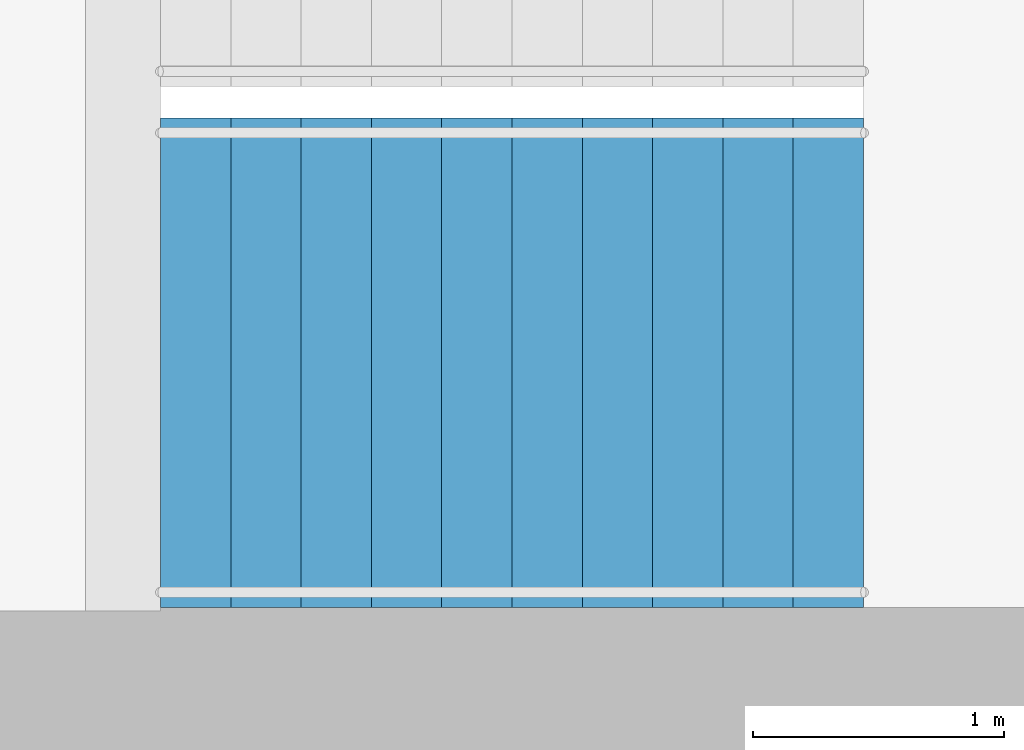
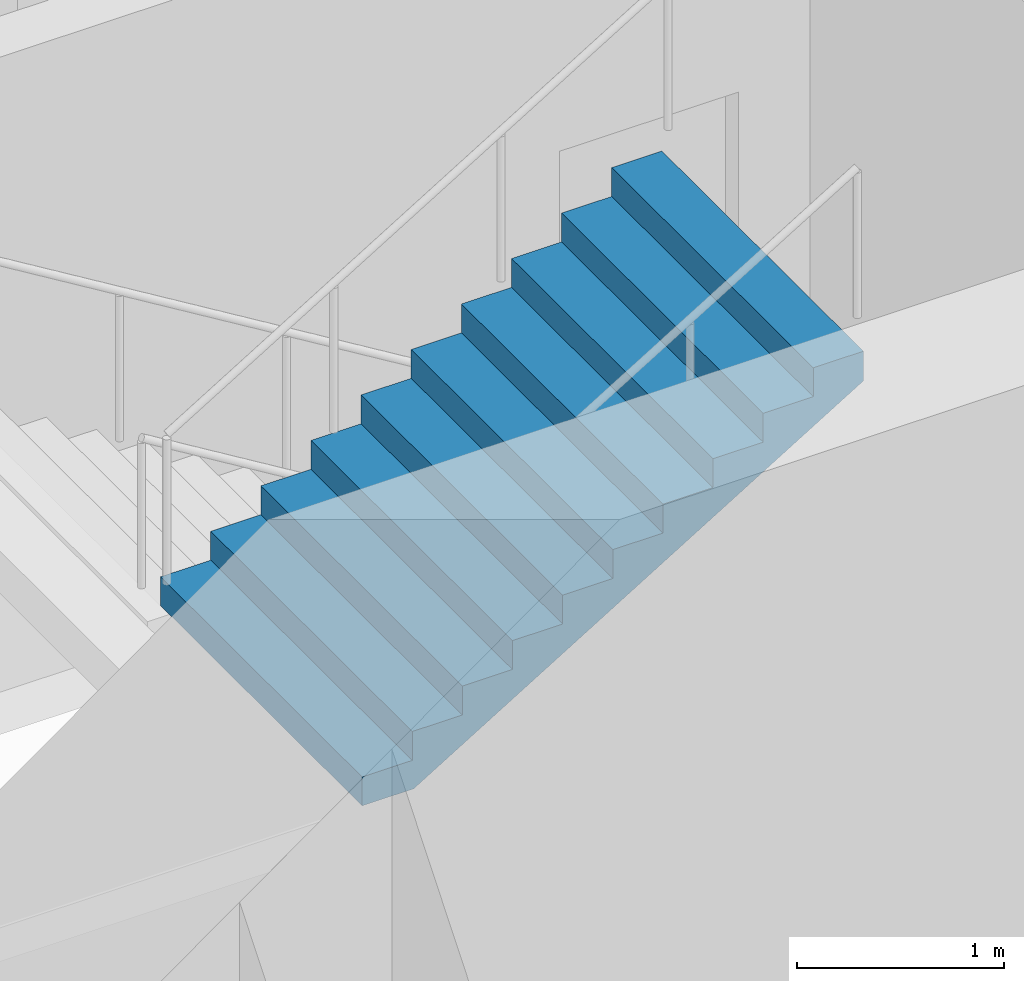
# One storey, part 20 of 22: 1 stair flight, 1 element without a shape of its own.
"""IFC4 building model written with IfcOpenShell, lengths in metres."""

from ifc_helpers import new_model, si_unit, direction, frame, origin, place, context, subcontext, project, spatial, triangles, material, type_object, element, aggregate, save


model = new_model("IFC4")

# Units and contexts
model_context = context("Model", 3, precision=1e-05, world=origin(), true_north=direction((0.0, 1.0)))
body_context = subcontext(model_context, "Body", "Model", "MODEL_VIEW")
ifc_project = project(units=[si_unit("LENGTHUNIT", "METRE"), si_unit("AREAUNIT", "SQUARE_METRE"), si_unit("VOLUMEUNIT", "CUBIC_METRE"), si_unit("PLANEANGLEUNIT", "RADIAN"), si_unit("MASSUNIT", "GRAM", prefix="KILO")], contexts=[model_context])

# Site, building, storey
site_placement = place(None, origin())
site = spatial("IfcSite", under=ifc_project, at=site_placement, CompositionType="ELEMENT")
building_placement = place(site_placement, origin())
building = spatial("IfcBuilding", under=site, at=building_placement, Name="Orbita Commons", CompositionType="ELEMENT")
storey_placement = place(building_placement, frame((0.0, 0.0, 152.35009765625)))
storey = spatial("IfcBuildingStorey", under=building, at=storey_placement, Name="L37", CompositionType="ELEMENT", Elevation=152.35009765625)

# Stair, stair flight
ifc_material_1 = material(Name="Precast concrete C40/50", Category="concrete")
stair_type = type_object("IfcStairType", Name="Exit stair S2 2 flights 11 risers 170", PredefinedType="HALF_TURN_STAIR", material=ifc_material_1)
stair_placement = place(storey_placement, origin())
stair = element("IfcStair", 1, at=stair_placement, inside=storey, type_object=stair_type, Name="Exit stair S2 L37", PredefinedType="HALF_TURN_STAIR")
ifc_material_2 = material(Name="Precast concrete C40/50", Category="concrete")
stair_flight_type = type_object("IfcStairFlightType", Name="Stair flight 11 risers 170 x 280", PredefinedType="STRAIGHT", material=ifc_material_2)
stair_flight_placement = place(storey_placement, frame((60.75, 27.199951171875, 1.875), z_axis=(0.0, 0.0, 1.0), x_axis=(1.0, 0.0, 0.0)))
stair_flight = element("IfcStairFlight", 2, at=stair_flight_placement, type_object=stair_flight_type, Name="S2 flight 2", NumberOfRisers=11, NumberOfTreads=10, PredefinedType="STRAIGHT", RiserHeight=0.170454545, TreadLength=0.28, context=body_context, shape_type="Tessellation", body=[
    triangles([(0.0, 0.974976, 0.0), (0.0, 0.974976, 0.021307), (0.0, 0.81248, 0.021307), (0.0, 0.81248, 0.0), (0.0, 0.649984, 0.021307), (0.0, 0.649984, 0.0), (0.0, 0.487488, 0.021307), (0.0, 0.487488, 0.0), (0.0, 0.324992, 0.021307), (0.0, 0.324992, 0.0), (0.0, 0.162496, 0.021307), (0.0, 0.162496, 0.0), (0.0, 0.0, 0.021307), (0.0, 0.0, 0.0), (0.0, -0.162496, 0.021307), (0.0, -0.162496, 0.0), (0.0, -0.324992, 0.021307), (0.0, -0.324992, 0.0), (0.0, -0.487488, 0.021307), (0.0, -0.487488, 0.0), (0.0, -0.649984, 0.021307), (0.0, -0.649984, 0.0), (0.0, -0.81248, 0.021307), (0.0, -0.81248, 0.0), (0.0, -0.974976, 0.021307), (0.0, -0.974976, 0.0), (0.0, 0.974976, 0.042614), (0.0, 0.81248, 0.042614), (0.0, 0.649984, 0.042614), (0.0, 0.487488, 0.042614), (0.0, 0.324992, 0.042614), (0.0, 0.162496, 0.042614), (0.0, 0.0, 0.042614), (0.0, -0.162496, 0.042614), (0.0, -0.324992, 0.042614), (0.0, -0.487488, 0.042614), (0.0, -0.649984, 0.042614), (0.0, -0.81248, 0.042614), (0.0, -0.974976, 0.042614), (0.0, 0.974976, 0.06392), (0.0, 0.81248, 0.06392), (0.0, 0.649984, 0.06392), (0.0, 0.487488, 0.06392), (0.0, 0.324992, 0.06392), (0.0, 0.162496, 0.06392), (0.0, 0.0, 0.06392), (0.0, -0.162496, 0.06392), (0.0, -0.324992, 0.06392), (0.0, -0.487488, 0.06392), (0.0, -0.649984, 0.06392), (0.0, -0.81248, 0.06392), (0.0, -0.974976, 0.06392), (0.0, 0.974976, 0.085227), (0.0, 0.81248, 0.085227), (0.0, 0.649984, 0.085227), (0.0, 0.487488, 0.085227), (0.0, 0.324992, 0.085227), (0.0, 0.162496, 0.085227), (0.0, 0.0, 0.085227), (0.0, -0.162496, 0.085227), (0.0, -0.324992, 0.085227), (0.0, -0.487488, 0.085227), (0.0, -0.649984, 0.085227), (0.0, -0.81248, 0.085227), (0.0, -0.974976, 0.085227), (0.0, 0.974976, 0.106534), (0.0, 0.81248, 0.106534), (0.0, 0.649984, 0.106534), (0.0, 0.487488, 0.106534), (0.0, 0.324992, 0.106534), (0.0, 0.162496, 0.106534), (0.0, 0.0, 0.106534), (0.0, -0.162496, 0.106534), (0.0, -0.324992, 0.106534), (0.0, -0.487488, 0.106534), (0.0, -0.649984, 0.106534), (0.0, -0.81248, 0.106534), (0.0, -0.974976, 0.106534), (0.0, 0.974976, 0.127841), (0.0, 0.81248, 0.127841), (0.0, 0.649984, 0.127841), (0.0, 0.487488, 0.127841), (0.0, 0.324992, 0.127841), (0.0, 0.162496, 0.127841), (0.0, 0.0, 0.127841), (0.0, -0.162496, 0.127841), (0.0, -0.324992, 0.127841), (0.0, -0.487488, 0.127841), (0.0, -0.649984, 0.127841), (0.0, -0.81248, 0.127841), (0.0, -0.974976, 0.127841), (0.0, 0.974976, 0.149148), (0.0, 0.81248, 0.149148), (0.0, 0.649984, 0.149148), (0.0, 0.487488, 0.149148), (0.0, 0.324992, 0.149148), (0.0, 0.162496, 0.149148), (0.0, 0.0, 0.149148), (0.0, -0.162496, 0.149148), (0.0, -0.324992, 0.149148), (0.0, -0.487488, 0.149148), (0.0, -0.649984, 0.149148), (0.0, -0.81248, 0.149148), (0.0, -0.974976, 0.149148), (0.0, 0.974976, 0.170455), (0.0, 0.81248, 0.170455), (0.0, 0.649984, 0.170455), (0.0, 0.487488, 0.170455), (0.0, 0.324992, 0.170455), (0.0, 0.162496, 0.170455), (0.0, 0.0, 0.170455), (0.0, -0.162496, 0.170455), (0.0, -0.324992, 0.170455), (0.0, -0.487488, 0.170455), (0.0, -0.649984, 0.170455), (0.0, -0.81248, 0.170455), (0.0, -0.974976, 0.170455), (0.28, 0.974976, 0.170455), (0.28, 0.81248, 0.170455), (0.28, 0.649984, 0.170455), (0.28, 0.487488, 0.170455), (0.28, 0.324992, 0.170455), (0.28, 0.162496, 0.170455), (0.28, 0.0, 0.170455), (0.28, -0.162496, 0.170455), (0.28, -0.324992, 0.170455), (0.28, -0.487488, 0.170455), (0.28, -0.649984, 0.170455), (0.28, -0.81248, 0.170455), (0.28, -0.974976, 0.170455), (0.28, 0.974976, 0.340909), (0.28, 0.81248, 0.340909), (0.28, 0.649984, 0.340909), (0.28, 0.487488, 0.340909), (0.28, 0.324992, 0.340909), (0.28, 0.162496, 0.340909), (0.28, 0.0, 0.340909), (0.28, -0.162496, 0.340909), (0.28, -0.324992, 0.340909), (0.28, -0.487488, 0.340909), (0.28, -0.649984, 0.340909), (0.28, -0.81248, 0.340909), (0.28, -0.974976, 0.340909), (0.56, 0.974976, 0.340909), (0.56, 0.81248, 0.340909), (0.56, 0.649984, 0.340909), (0.56, 0.487488, 0.340909), (0.56, 0.324992, 0.340909), (0.56, 0.162496, 0.340909), (0.56, 0.0, 0.340909), (0.56, -0.162496, 0.340909), (0.56, -0.324992, 0.340909), (0.56, -0.487488, 0.340909), (0.56, -0.649984, 0.340909), (0.56, -0.81248, 0.340909), (0.56, -0.974976, 0.340909), (0.56, 0.974976, 0.511364), (0.56, 0.81248, 0.511364), (0.56, 0.649984, 0.511364), (0.56, 0.487488, 0.511364), (0.56, 0.324992, 0.511364), (0.56, 0.162496, 0.511364), (0.56, 0.0, 0.511364), (0.56, -0.162496, 0.511364), (0.56, -0.324992, 0.511364), (0.56, -0.487488, 0.511364), (0.56, -0.649984, 0.511364), (0.56, -0.81248, 0.511364), (0.56, -0.974976, 0.511364), (0.84, 0.974976, 0.511364), (0.84, 0.81248, 0.511364), (0.84, 0.649984, 0.511364), (0.84, 0.487488, 0.511364), (0.84, 0.324992, 0.511364), (0.84, 0.162496, 0.511364), (0.84, 0.0, 0.511364), (0.84, -0.162496, 0.511364), (0.84, -0.324992, 0.511364), (0.84, -0.487488, 0.511364), (0.84, -0.649984, 0.511364), (0.84, -0.81248, 0.511364), (0.84, -0.974976, 0.511364), (0.84, 0.974976, 0.681818), (0.84, 0.81248, 0.681818), (0.84, 0.649984, 0.681818), (0.84, 0.487488, 0.681818), (0.84, 0.324992, 0.681818), (0.84, 0.162496, 0.681818), (0.84, 0.0, 0.681818), (0.84, -0.162496, 0.681818), (0.84, -0.324992, 0.681818), (0.84, -0.487488, 0.681818), (0.84, -0.649984, 0.681818), (0.84, -0.81248, 0.681818), (0.84, -0.974976, 0.681818), (1.12, 0.974976, 0.681818), (1.12, 0.81248, 0.681818), (1.12, 0.649984, 0.681818), (1.12, 0.487488, 0.681818), (1.12, 0.324992, 0.681818), (1.12, 0.162496, 0.681818), (1.12, 0.0, 0.681818), (1.12, -0.162496, 0.681818), (1.12, -0.324992, 0.681818), (1.12, -0.487488, 0.681818), (1.12, -0.649984, 0.681818), (1.12, -0.81248, 0.681818), (1.12, -0.974976, 0.681818), (1.12, 0.974976, 0.852273), (1.12, 0.81248, 0.852273), (1.12, 0.649984, 0.852273), (1.12, 0.487488, 0.852273), (1.12, 0.324992, 0.852273), (1.12, 0.162496, 0.852273), (1.12, 0.0, 0.852273), (1.12, -0.162496, 0.852273), (1.12, -0.324992, 0.852273), (1.12, -0.487488, 0.852273), (1.12, -0.649984, 0.852273), (1.12, -0.81248, 0.852273), (1.12, -0.974976, 0.852273), (1.4, 0.974976, 0.852273), (1.4, 0.81248, 0.852273), (1.4, 0.649984, 0.852273), (1.4, 0.487488, 0.852273), (1.4, 0.324992, 0.852273), (1.4, 0.162496, 0.852273), (1.4, 0.0, 0.852273), (1.4, -0.162496, 0.852273), (1.4, -0.324992, 0.852273), (1.4, -0.487488, 0.852273), (1.4, -0.649984, 0.852273), (1.4, -0.81248, 0.852273), (1.4, -0.974976, 0.852273), (1.4, 0.974976, 1.022727), (1.4, 0.81248, 1.022727), (1.4, 0.649984, 1.022727), (1.4, 0.487488, 1.022727), (1.4, 0.324992, 1.022727), (1.4, 0.162496, 1.022727), (1.4, 0.0, 1.022727), (1.4, -0.162496, 1.022727), (1.4, -0.324992, 1.022727), (1.4, -0.487488, 1.022727), (1.4, -0.649984, 1.022727), (1.4, -0.81248, 1.022727), (1.4, -0.974976, 1.022727), (1.68, 0.974976, 1.022727), (1.68, 0.81248, 1.022727), (1.68, 0.649984, 1.022727), (1.68, 0.487488, 1.022727), (1.68, 0.324992, 1.022727), (1.68, 0.162496, 1.022727), (1.68, 0.0, 1.022727), (1.68, -0.162496, 1.022727), (1.68, -0.324992, 1.022727), (1.68, -0.487488, 1.022727), (1.68, -0.649984, 1.022727), (1.68, -0.81248, 1.022727), (1.68, -0.974976, 1.022727), (1.68, 0.974976, 1.193182), (1.68, 0.81248, 1.193182), (1.68, 0.649984, 1.193182), (1.68, 0.487488, 1.193182), (1.68, 0.324992, 1.193182), (1.68, 0.162496, 1.193182), (1.68, 0.0, 1.193182), (1.68, -0.162496, 1.193182), (1.68, -0.324992, 1.193182), (1.68, -0.487488, 1.193182), (1.68, -0.649984, 1.193182), (1.68, -0.81248, 1.193182), (1.68, -0.974976, 1.193182), (1.96, 0.974976, 1.193182), (1.96, 0.81248, 1.193182), (1.96, 0.649984, 1.193182), (1.96, 0.487488, 1.193182), (1.96, 0.324992, 1.193182), (1.96, 0.162496, 1.193182), (1.96, 0.0, 1.193182), (1.96, -0.162496, 1.193182), (1.96, -0.324992, 1.193182), (1.96, -0.487488, 1.193182), (1.96, -0.649984, 1.193182), (1.96, -0.81248, 1.193182), (1.96, -0.974976, 1.193182), (1.96, 0.974976, 1.363636), (1.96, 0.81248, 1.363636), (1.96, 0.649984, 1.363636), (1.96, 0.487488, 1.363636), (1.96, 0.324992, 1.363636), (1.96, 0.162496, 1.363636), (1.96, 0.0, 1.363636), (1.96, -0.162496, 1.363636), (1.96, -0.324992, 1.363636), (1.96, -0.487488, 1.363636), (1.96, -0.649984, 1.363636), (1.96, -0.81248, 1.363636), (1.96, -0.974976, 1.363636), (2.24, 0.974976, 1.363636), (2.24, 0.81248, 1.363636), (2.24, 0.649984, 1.363636), (2.24, 0.487488, 1.363636), (2.24, 0.324992, 1.363636), (2.24, 0.162496, 1.363636), (2.24, 0.0, 1.363636), (2.24, -0.162496, 1.363636), (2.24, -0.324992, 1.363636), (2.24, -0.487488, 1.363636), (2.24, -0.649984, 1.363636), (2.24, -0.81248, 1.363636), (2.24, -0.974976, 1.363636), (2.24, 0.974976, 1.534091), (2.24, 0.81248, 1.534091), (2.24, 0.649984, 1.534091), (2.24, 0.487488, 1.534091), (2.24, 0.324992, 1.534091), (2.24, 0.162496, 1.534091), (2.24, 0.0, 1.534091), (2.24, -0.162496, 1.534091), (2.24, -0.324992, 1.534091), (2.24, -0.487488, 1.534091), (2.24, -0.649984, 1.534091), (2.24, -0.81248, 1.534091), (2.24, -0.974976, 1.534091), (2.52, 0.974976, 1.534091), (2.52, 0.81248, 1.534091), (2.52, 0.649984, 1.534091), (2.52, 0.487488, 1.534091), (2.52, 0.324992, 1.534091), (2.52, 0.162496, 1.534091), (2.52, 0.0, 1.534091), (2.52, -0.162496, 1.534091), (2.52, -0.324992, 1.534091), (2.52, -0.487488, 1.534091), (2.52, -0.649984, 1.534091), (2.52, -0.81248, 1.534091), (2.52, -0.974976, 1.534091), (2.52, 0.974976, 1.704545), (2.52, 0.81248, 1.704545), (2.52, 0.649984, 1.704545), (2.52, 0.487488, 1.704545), (2.52, 0.324992, 1.704545), (2.52, 0.162496, 1.704545), (2.52, 0.0, 1.704545), (2.52, -0.162496, 1.704545), (2.52, -0.324992, 1.704545), (2.52, -0.487488, 1.704545), (2.52, -0.649984, 1.704545), (2.52, -0.81248, 1.704545), (2.52, -0.974976, 1.704545), (2.8, 0.974976, 1.704545), (2.8, 0.81248, 1.704545), (2.8, 0.649984, 1.704545), (2.8, 0.487488, 1.704545), (2.8, 0.324992, 1.704545), (2.8, 0.162496, 1.704545), (2.8, 0.0, 1.704545), (2.8, -0.162496, 1.704545), (2.8, -0.324992, 1.704545), (2.8, -0.487488, 1.704545), (2.8, -0.649984, 1.704545), (2.8, -0.81248, 1.704545), (2.8, -0.974976, 1.704545), (2.8, 0.974976, 1.682609), (2.8, 0.81248, 1.682609), (2.8, 0.649984, 1.682609), (2.8, 0.487488, 1.682609), (2.8, 0.324992, 1.682609), (2.8, 0.162496, 1.682609), (2.8, 0.0, 1.682609), (2.8, -0.162496, 1.682609), (2.8, -0.324992, 1.682609), (2.8, -0.487488, 1.682609), (2.8, -0.649984, 1.682609), (2.8, -0.81248, 1.682609), (2.8, -0.974976, 1.682609), (2.8, 0.974976, 1.660672), (2.8, 0.81248, 1.660672), (2.8, 0.649984, 1.660672), (2.8, 0.487488, 1.660672), (2.8, 0.324992, 1.660672), (2.8, 0.162496, 1.660672), (2.8, 0.0, 1.660672), (2.8, -0.162496, 1.660672), (2.8, -0.324992, 1.660672), (2.8, -0.487488, 1.660672), (2.8, -0.649984, 1.660672), (2.8, -0.81248, 1.660672), (2.8, -0.974976, 1.660672), (2.8, 0.974976, 1.638735), (2.8, 0.81248, 1.638735), (2.8, 0.649984, 1.638735), (2.8, 0.487488, 1.638735), (2.8, 0.324992, 1.638735), (2.8, 0.162496, 1.638735), (2.8, 0.0, 1.638735), (2.8, -0.162496, 1.638735), (2.8, -0.324992, 1.638735), (2.8, -0.487488, 1.638735), (2.8, -0.649984, 1.638735), (2.8, -0.81248, 1.638735), (2.8, -0.974976, 1.638735), (2.8, 0.974976, 1.616798), (2.8, 0.81248, 1.616798), (2.8, 0.649984, 1.616798), (2.8, 0.487488, 1.616798), (2.8, 0.324992, 1.616798), (2.8, 0.162496, 1.616798), (2.8, 0.0, 1.616798), (2.8, -0.162496, 1.616798), (2.8, -0.324992, 1.616798), (2.8, -0.487488, 1.616798), (2.8, -0.649984, 1.616798), (2.8, -0.81248, 1.616798), (2.8, -0.974976, 1.616798), (2.8, 0.974976, 1.594861), (2.8, 0.81248, 1.594861), (2.8, 0.649984, 1.594861), (2.8, 0.487488, 1.594861), (2.8, 0.324992, 1.594861), (2.8, 0.162496, 1.594861), (2.8, 0.0, 1.594861), (2.8, -0.162496, 1.594861), (2.8, -0.324992, 1.594861), (2.8, -0.487488, 1.594861), (2.8, -0.649984, 1.594861), (2.8, -0.81248, 1.594861), (2.8, -0.974976, 1.594861), (2.8, 0.974976, 1.572925), (2.8, 0.81248, 1.572925), (2.8, 0.649984, 1.572925), (2.8, 0.487488, 1.572925), (2.8, 0.324992, 1.572925), (2.8, 0.162496, 1.572925), (2.8, 0.0, 1.572925), (2.8, -0.162496, 1.572925), (2.8, -0.324992, 1.572925), (2.8, -0.487488, 1.572925), (2.8, -0.649984, 1.572925), (2.8, -0.81248, 1.572925), (2.8, -0.974976, 1.572925), (2.8, 0.974976, 1.550988), (2.8, 0.81248, 1.550988), (2.8, 0.649984, 1.550988), (2.8, 0.487488, 1.550988), (2.8, 0.324992, 1.550988), (2.8, 0.162496, 1.550988), (2.8, 0.0, 1.550988), (2.8, -0.162496, 1.550988), (2.8, -0.324992, 1.550988), (2.8, -0.487488, 1.550988), (2.8, -0.649984, 1.550988), (2.8, -0.81248, 1.550988), (2.8, -0.974976, 1.550988), (2.8, 0.974976, 1.529051), (2.8, 0.81248, 1.529051), (2.8, 0.649984, 1.529051), (2.8, 0.487488, 1.529051), (2.8, 0.324992, 1.529051), (2.8, 0.162496, 1.529051), (2.8, 0.0, 1.529051), (2.8, -0.162496, 1.529051), (2.8, -0.324992, 1.529051), (2.8, -0.487488, 1.529051), (2.8, -0.649984, 1.529051), (2.8, -0.81248, 1.529051), (2.8, -0.974976, 1.529051), (0.288279, 0.974976, 0.0), (0.288279, 0.81248, 0.0), (0.288279, 0.649984, 0.0), (0.288279, 0.487488, 0.0), (0.288279, 0.324992, 0.0), (0.288279, 0.162496, 0.0), (0.288279, 0.0, 0.0), (0.288279, -0.162496, 0.0), (0.288279, -0.324992, 0.0), (0.288279, -0.487488, 0.0), (0.288279, -0.649984, 0.0), (0.288279, -0.81248, 0.0), (0.288279, -0.974976, 0.0)], [[3, 2, 1], [4, 3, 1], [5, 3, 4], [6, 5, 4], [7, 5, 6], [8, 7, 6], [9, 7, 8], [10, 9, 8], [11, 9, 10], [12, 11, 10], [13, 11, 12], [14, 13, 12], [15, 13, 14], [16, 15, 14], [17, 15, 16], [18, 17, 16], [19, 17, 18], [20, 19, 18], [21, 19, 20], [22, 21, 20], [23, 21, 22], [24, 23, 22], [25, 23, 24], [26, 25, 24], [28, 27, 2], [3, 28, 2], [29, 28, 3], [5, 29, 3], [30, 29, 5], [7, 30, 5], [31, 30, 7], [9, 31, 7], [32, 31, 9], [11, 32, 9], [33, 32, 11], [13, 33, 11], [34, 33, 13], [15, 34, 13], [35, 34, 15], [17, 35, 15], [36, 35, 17], [19, 36, 17], [37, 36, 19], [21, 37, 19], [38, 37, 21], [23, 38, 21], [39, 38, 23], [25, 39, 23], [41, 40, 27], [28, 41, 27], [42, 41, 28], [29, 42, 28], [43, 42, 29], [30, 43, 29], [44, 43, 30], [31, 44, 30], [45, 44, 31], [32, 45, 31], [46, 45, 32], [33, 46, 32], [47, 46, 33], [34, 47, 33], [48, 47, 34], [35, 48, 34], [49, 48, 35], [36, 49, 35], [50, 49, 36], [37, 50, 36], [51, 50, 37], [38, 51, 37], [52, 51, 38], [39, 52, 38], [54, 53, 40], [41, 54, 40], [55, 54, 41], [42, 55, 41], [56, 55, 42], [43, 56, 42], [57, 56, 43], [44, 57, 43], [58, 57, 44], [45, 58, 44], [59, 58, 45], [46, 59, 45], [60, 59, 46], [47, 60, 46], [61, 60, 47], [48, 61, 47], [62, 61, 48], [49, 62, 48], [63, 62, 49], [50, 63, 49], [64, 63, 50], [51, 64, 50], [65, 64, 51], [52, 65, 51], [67, 66, 53], [54, 67, 53], [68, 67, 54], [55, 68, 54], [69, 68, 55], [56, 69, 55], [70, 69, 56], [57, 70, 56], [71, 70, 57], [58, 71, 57], [72, 71, 58], [59, 72, 58], [73, 72, 59], [60, 73, 59], [74, 73, 60], [61, 74, 60], [75, 74, 61], [62, 75, 61], [76, 75, 62], [63, 76, 62], [77, 76, 63], [64, 77, 63], [78, 77, 64], [65, 78, 64], [80, 79, 66], [67, 80, 66], [81, 80, 67], [68, 81, 67], [82, 81, 68], [69, 82, 68], [83, 82, 69], [70, 83, 69], [84, 83, 70], [71, 84, 70], [85, 84, 71], [72, 85, 71], [86, 85, 72], [73, 86, 72], [87, 86, 73], [74, 87, 73], [88, 87, 74], [75, 88, 74], [89, 88, 75], [76, 89, 75], [90, 89, 76], [77, 90, 76], [91, 90, 77], [78, 91, 77], [93, 92, 79], [80, 93, 79], [94, 93, 80], [81, 94, 80], [95, 94, 81], [82, 95, 81], [96, 95, 82], [83, 96, 82], [97, 96, 83], [84, 97, 83], [98, 97, 84], [85, 98, 84], [99, 98, 85], [86, 99, 85], [100, 99, 86], [87, 100, 86], [101, 100, 87], [88, 101, 87], [102, 101, 88], [89, 102, 88], [103, 102, 89], [90, 103, 89], [104, 103, 90], [91, 104, 90], [106, 105, 92], [93, 106, 92], [107, 106, 93], [94, 107, 93], [108, 107, 94], [95, 108, 94], [109, 108, 95], [96, 109, 95], [110, 109, 96], [97, 110, 96], [111, 110, 97], [98, 111, 97], [112, 111, 98], [99, 112, 98], [113, 112, 99], [100, 113, 99], [114, 113, 100], [101, 114, 100], [115, 114, 101], [102, 115, 101], [116, 115, 102], [103, 116, 102], [117, 116, 103], [104, 117, 103], [119, 118, 105], [106, 119, 105], [120, 119, 106], [107, 120, 106], [121, 120, 107], [108, 121, 107], [122, 121, 108], [109, 122, 108], [123, 122, 109], [110, 123, 109], [124, 123, 110], [111, 124, 110], [125, 124, 111], [112, 125, 111], [126, 125, 112], [113, 126, 112], [127, 126, 113], [114, 127, 113], [128, 127, 114], [115, 128, 114], [129, 128, 115], [116, 129, 115], [130, 129, 116], [117, 130, 116], [132, 131, 118], [119, 132, 118], [133, 132, 119], [120, 133, 119], [134, 133, 120], [121, 134, 120], [135, 134, 121], [122, 135, 121], [136, 135, 122], [123, 136, 122], [137, 136, 123], [124, 137, 123], [138, 137, 124], [125, 138, 124], [139, 138, 125], [126, 139, 125], [140, 139, 126], [127, 140, 126], [141, 140, 127], [128, 141, 127], [142, 141, 128], [129, 142, 128], [143, 142, 129], [130, 143, 129], [145, 144, 131], [132, 145, 131], [146, 145, 132], [133, 146, 132], [147, 146, 133], [134, 147, 133], [148, 147, 134], [135, 148, 134], [149, 148, 135], [136, 149, 135], [150, 149, 136], [137, 150, 136], [151, 150, 137], [138, 151, 137], [152, 151, 138], [139, 152, 138], [153, 152, 139], [140, 153, 139], [154, 153, 140], [141, 154, 140], [155, 154, 141], [142, 155, 141], [156, 155, 142], [143, 156, 142], [158, 157, 144], [145, 158, 144], [159, 158, 145], [146, 159, 145], [160, 159, 146], [147, 160, 146], [161, 160, 147], [148, 161, 147], [162, 161, 148], [149, 162, 148], [163, 162, 149], [150, 163, 149], [164, 163, 150], [151, 164, 150], [165, 164, 151], [152, 165, 151], [166, 165, 152], [153, 166, 152], [167, 166, 153], [154, 167, 153], [168, 167, 154], [155, 168, 154], [169, 168, 155], [156, 169, 155], [171, 170, 157], [158, 171, 157], [172, 171, 158], [159, 172, 158], [173, 172, 159], [160, 173, 159], [174, 173, 160], [161, 174, 160], [175, 174, 161], [162, 175, 161], [176, 175, 162], [163, 176, 162], [177, 176, 163], [164, 177, 163], [178, 177, 164], [165, 178, 164], [179, 178, 165], [166, 179, 165], [180, 179, 166], [167, 180, 166], [181, 180, 167], [168, 181, 167], [182, 181, 168], [169, 182, 168], [184, 183, 170], [171, 184, 170], [185, 184, 171], [172, 185, 171], [186, 185, 172], [173, 186, 172], [187, 186, 173], [174, 187, 173], [188, 187, 174], [175, 188, 174], [189, 188, 175], [176, 189, 175], [190, 189, 176], [177, 190, 176], [191, 190, 177], [178, 191, 177], [192, 191, 178], [179, 192, 178], [193, 192, 179], [180, 193, 179], [194, 193, 180], [181, 194, 180], [195, 194, 181], [182, 195, 181], [197, 196, 183], [184, 197, 183], [198, 197, 184], [185, 198, 184], [199, 198, 185], [186, 199, 185], [200, 199, 186], [187, 200, 186], [201, 200, 187], [188, 201, 187], [202, 201, 188], [189, 202, 188], [203, 202, 189], [190, 203, 189], [204, 203, 190], [191, 204, 190], [205, 204, 191], [192, 205, 191], [206, 205, 192], [193, 206, 192], [207, 206, 193], [194, 207, 193], [208, 207, 194], [195, 208, 194], [210, 209, 196], [197, 210, 196], [211, 210, 197], [198, 211, 197], [212, 211, 198], [199, 212, 198], [213, 212, 199], [200, 213, 199], [214, 213, 200], [201, 214, 200], [215, 214, 201], [202, 215, 201], [216, 215, 202], [203, 216, 202], [217, 216, 203], [204, 217, 203], [218, 217, 204], [205, 218, 204], [219, 218, 205], [206, 219, 205], [220, 219, 206], [207, 220, 206], [221, 220, 207], [208, 221, 207], [223, 222, 209], [210, 223, 209], [224, 223, 210], [211, 224, 210], [225, 224, 211], [212, 225, 211], [226, 225, 212], [213, 226, 212], [227, 226, 213], [214, 227, 213], [228, 227, 214], [215, 228, 214], [229, 228, 215], [216, 229, 215], [230, 229, 216], [217, 230, 216], [231, 230, 217], [218, 231, 217], [232, 231, 218], [219, 232, 218], [233, 232, 219], [220, 233, 219], [234, 233, 220], [221, 234, 220], [236, 235, 222], [223, 236, 222], [237, 236, 223], [224, 237, 223], [238, 237, 224], [225, 238, 224], [239, 238, 225], [226, 239, 225], [240, 239, 226], [227, 240, 226], [241, 240, 227], [228, 241, 227], [242, 241, 228], [229, 242, 228], [243, 242, 229], [230, 243, 229], [244, 243, 230], [231, 244, 230], [245, 244, 231], [232, 245, 231], [246, 245, 232], [233, 246, 232], [247, 246, 233], [234, 247, 233], [249, 248, 235], [236, 249, 235], [250, 249, 236], [237, 250, 236], [251, 250, 237], [238, 251, 237], [252, 251, 238], [239, 252, 238], [253, 252, 239], [240, 253, 239], [254, 253, 240], [241, 254, 240], [255, 254, 241], [242, 255, 241], [256, 255, 242], [243, 256, 242], [257, 256, 243], [244, 257, 243], [258, 257, 244], [245, 258, 244], [259, 258, 245], [246, 259, 245], [260, 259, 246], [247, 260, 246], [262, 261, 248], [249, 262, 248], [263, 262, 249], [250, 263, 249], [264, 263, 250], [251, 264, 250], [265, 264, 251], [252, 265, 251], [266, 265, 252], [253, 266, 252], [267, 266, 253], [254, 267, 253], [268, 267, 254], [255, 268, 254], [269, 268, 255], [256, 269, 255], [270, 269, 256], [257, 270, 256], [271, 270, 257], [258, 271, 257], [272, 271, 258], [259, 272, 258], [273, 272, 259], [260, 273, 259], [275, 274, 261], [262, 275, 261], [276, 275, 262], [263, 276, 262], [277, 276, 263], [264, 277, 263], [278, 277, 264], [265, 278, 264], [279, 278, 265], [266, 279, 265], [280, 279, 266], [267, 280, 266], [281, 280, 267], [268, 281, 267], [282, 281, 268], [269, 282, 268], [283, 282, 269], [270, 283, 269], [284, 283, 270], [271, 284, 270], [285, 284, 271], [272, 285, 271], [286, 285, 272], [273, 286, 272], [288, 287, 274], [275, 288, 274], [289, 288, 275], [276, 289, 275], [290, 289, 276], [277, 290, 276], [291, 290, 277], [278, 291, 277], [292, 291, 278], [279, 292, 278], [293, 292, 279], [280, 293, 279], [294, 293, 280], [281, 294, 280], [295, 294, 281], [282, 295, 281], [296, 295, 282], [283, 296, 282], [297, 296, 283], [284, 297, 283], [298, 297, 284], [285, 298, 284], [299, 298, 285], [286, 299, 285], [301, 300, 287], [288, 301, 287], [302, 301, 288], [289, 302, 288], [303, 302, 289], [290, 303, 289], [304, 303, 290], [291, 304, 290], [305, 304, 291], [292, 305, 291], [306, 305, 292], [293, 306, 292], [307, 306, 293], [294, 307, 293], [308, 307, 294], [295, 308, 294], [309, 308, 295], [296, 309, 295], [310, 309, 296], [297, 310, 296], [311, 310, 297], [298, 311, 297], [312, 311, 298], [299, 312, 298], [314, 313, 300], [301, 314, 300], [315, 314, 301], [302, 315, 301], [316, 315, 302], [303, 316, 302], [317, 316, 303], [304, 317, 303], [318, 317, 304], [305, 318, 304], [319, 318, 305], [306, 319, 305], [320, 319, 306], [307, 320, 306], [321, 320, 307], [308, 321, 307], [322, 321, 308], [309, 322, 308], [323, 322, 309], [310, 323, 309], [324, 323, 310], [311, 324, 310], [325, 324, 311], [312, 325, 311], [327, 326, 313], [314, 327, 313], [328, 327, 314], [315, 328, 314], [329, 328, 315], [316, 329, 315], [330, 329, 316], [317, 330, 316], [331, 330, 317], [318, 331, 317], [332, 331, 318], [319, 332, 318], [333, 332, 319], [320, 333, 319], [334, 333, 320], [321, 334, 320], [335, 334, 321], [322, 335, 321], [336, 335, 322], [323, 336, 322], [337, 336, 323], [324, 337, 323], [338, 337, 324], [325, 338, 324], [340, 339, 326], [327, 340, 326], [341, 340, 327], [328, 341, 327], [342, 341, 328], [329, 342, 328], [343, 342, 329], [330, 343, 329], [344, 343, 330], [331, 344, 330], [345, 344, 331], [332, 345, 331], [346, 345, 332], [333, 346, 332], [347, 346, 333], [334, 347, 333], [348, 347, 334], [335, 348, 334], [349, 348, 335], [336, 349, 335], [350, 349, 336], [337, 350, 336], [351, 350, 337], [338, 351, 337], [353, 352, 339], [340, 353, 339], [354, 353, 340], [341, 354, 340], [355, 354, 341], [342, 355, 341], [356, 355, 342], [343, 356, 342], [357, 356, 343], [344, 357, 343], [358, 357, 344], [345, 358, 344], [359, 358, 345], [346, 359, 345], [360, 359, 346], [347, 360, 346], [361, 360, 347], [348, 361, 347], [362, 361, 348], [349, 362, 348], [363, 362, 349], [350, 363, 349], [364, 363, 350], [351, 364, 350], [366, 365, 352], [353, 366, 352], [367, 366, 353], [354, 367, 353], [368, 367, 354], [355, 368, 354], [369, 368, 355], [356, 369, 355], [370, 369, 356], [357, 370, 356], [371, 370, 357], [358, 371, 357], [372, 371, 358], [359, 372, 358], [373, 372, 359], [360, 373, 359], [374, 373, 360], [361, 374, 360], [375, 374, 361], [362, 375, 361], [376, 375, 362], [363, 376, 362], [377, 376, 363], [364, 377, 363], [379, 378, 365], [366, 379, 365], [380, 379, 366], [367, 380, 366], [381, 380, 367], [368, 381, 367], [382, 381, 368], [369, 382, 368], [383, 382, 369], [370, 383, 369], [384, 383, 370], [371, 384, 370], [385, 384, 371], [372, 385, 371], [386, 385, 372], [373, 386, 372], [387, 386, 373], [374, 387, 373], [388, 387, 374], [375, 388, 374], [389, 388, 375], [376, 389, 375], [390, 389, 376], [377, 390, 376], [392, 391, 378], [379, 392, 378], [393, 392, 379], [380, 393, 379], [394, 393, 380], [381, 394, 380], [395, 394, 381], [382, 395, 381], [396, 395, 382], [383, 396, 382], [397, 396, 383], [384, 397, 383], [398, 397, 384], [385, 398, 384], [399, 398, 385], [386, 399, 385], [400, 399, 386], [387, 400, 386], [401, 400, 387], [388, 401, 387], [402, 401, 388], [389, 402, 388], [403, 402, 389], [390, 403, 389], [405, 404, 391], [392, 405, 391], [406, 405, 392], [393, 406, 392], [407, 406, 393], [394, 407, 393], [408, 407, 394], [395, 408, 394], [409, 408, 395], [396, 409, 395], [410, 409, 396], [397, 410, 396], [411, 410, 397], [398, 411, 397], [412, 411, 398], [399, 412, 398], [413, 412, 399], [400, 413, 399], [414, 413, 400], [401, 414, 400], [415, 414, 401], [402, 415, 401], [416, 415, 402], [403, 416, 402], [418, 417, 404], [405, 418, 404], [419, 418, 405], [406, 419, 405], [420, 419, 406], [407, 420, 406], [421, 420, 407], [408, 421, 407], [422, 421, 408], [409, 422, 408], [423, 422, 409], [410, 423, 409], [424, 423, 410], [411, 424, 410], [425, 424, 411], [412, 425, 411], [426, 425, 412], [413, 426, 412], [427, 426, 413], [414, 427, 413], [428, 427, 414], [415, 428, 414], [429, 428, 415], [416, 429, 415], [431, 430, 417], [418, 431, 417], [432, 431, 418], [419, 432, 418], [433, 432, 419], [420, 433, 419], [434, 433, 420], [421, 434, 420], [435, 434, 421], [422, 435, 421], [436, 435, 422], [423, 436, 422], [437, 436, 423], [424, 437, 423], [438, 437, 424], [425, 438, 424], [439, 438, 425], [426, 439, 425], [440, 439, 426], [427, 440, 426], [441, 440, 427], [428, 441, 427], [442, 441, 428], [429, 442, 428], [444, 443, 430], [431, 444, 430], [445, 444, 431], [432, 445, 431], [446, 445, 432], [433, 446, 432], [447, 446, 433], [434, 447, 433], [448, 447, 434], [435, 448, 434], [449, 448, 435], [436, 449, 435], [450, 449, 436], [437, 450, 436], [451, 450, 437], [438, 451, 437], [452, 451, 438], [439, 452, 438], [453, 452, 439], [440, 453, 439], [454, 453, 440], [441, 454, 440], [455, 454, 441], [442, 455, 441], [457, 456, 443], [444, 457, 443], [458, 457, 444], [445, 458, 444], [459, 458, 445], [446, 459, 445], [460, 459, 446], [447, 460, 446], [461, 460, 447], [448, 461, 447], [462, 461, 448], [449, 462, 448], [463, 462, 449], [450, 463, 449], [464, 463, 450], [451, 464, 450], [465, 464, 451], [452, 465, 451], [466, 465, 452], [453, 466, 452], [467, 466, 453], [454, 467, 453], [468, 467, 454], [455, 468, 454], [470, 469, 456], [457, 470, 456], [471, 470, 457], [458, 471, 457], [472, 471, 458], [459, 472, 458], [473, 472, 459], [460, 473, 459], [474, 473, 460], [461, 474, 460], [475, 474, 461], [462, 475, 461], [476, 475, 462], [463, 476, 462], [477, 476, 463], [464, 477, 463], [478, 477, 464], [465, 478, 464], [479, 478, 465], [466, 479, 465], [480, 479, 466], [467, 480, 466], [481, 480, 467], [468, 481, 467], [4, 1, 469], [470, 4, 469], [6, 4, 470], [471, 6, 470], [8, 6, 471], [472, 8, 471], [10, 8, 472], [473, 10, 472], [12, 10, 473], [474, 12, 473], [14, 12, 474], [475, 14, 474], [16, 14, 475], [476, 16, 475], [18, 16, 476], [477, 18, 476], [20, 18, 477], [478, 20, 477], [22, 20, 478], [479, 22, 478], [24, 22, 479], [480, 24, 479], [26, 24, 480], [481, 26, 480], [456, 469, 1], [26, 481, 468], [443, 456, 1], [26, 468, 455], [430, 443, 1], [26, 455, 442], [417, 430, 1], [26, 442, 429], [404, 417, 1], [26, 429, 416], [391, 404, 1], [26, 416, 403], [378, 391, 1], [26, 403, 390], [365, 378, 1], [26, 390, 377], [339, 352, 365], [377, 364, 351], [326, 339, 365], [377, 351, 338], [300, 313, 326], [338, 325, 312], [300, 326, 365], [377, 338, 312], [274, 287, 300], [312, 299, 286], [274, 300, 365], [377, 312, 286], [248, 261, 274], [286, 273, 260], [248, 274, 365], [377, 286, 260], [222, 235, 248], [260, 247, 234], [222, 248, 365], [377, 260, 234], [196, 209, 222], [234, 221, 208], [196, 222, 365], [377, 234, 208], [170, 183, 196], [208, 195, 182], [170, 196, 365], [377, 208, 182], [144, 157, 170], [182, 169, 156], [144, 170, 365], [377, 182, 156], [118, 131, 144], [156, 143, 130], [118, 144, 365], [377, 156, 130], [118, 365, 1], [26, 377, 130], [92, 105, 118], [130, 117, 104], [79, 92, 118], [130, 104, 91], [66, 79, 118], [130, 91, 78], [53, 66, 118], [130, 78, 65], [40, 53, 118], [130, 65, 52], [27, 40, 118], [130, 52, 39], [2, 27, 118], [130, 39, 25], [1, 2, 118], [130, 25, 26]], closed=True),
])
aggregate(stair, [stair_flight])

save(model, "model.ifc")
